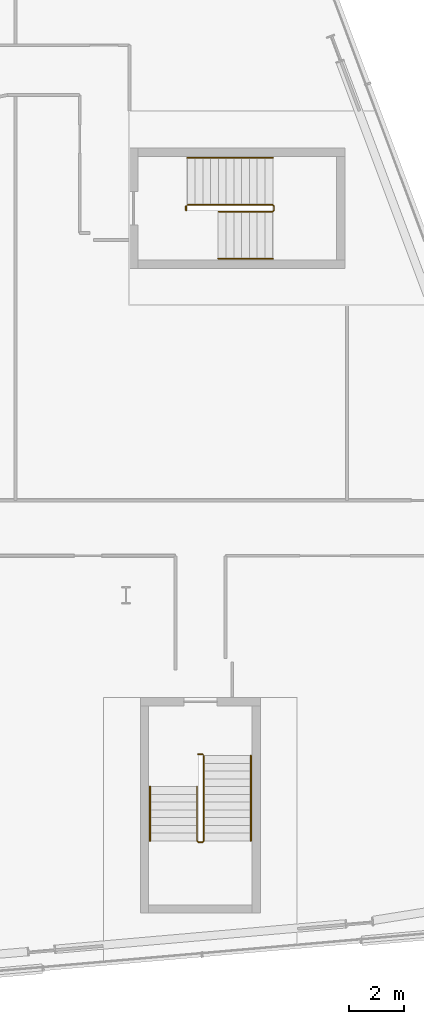
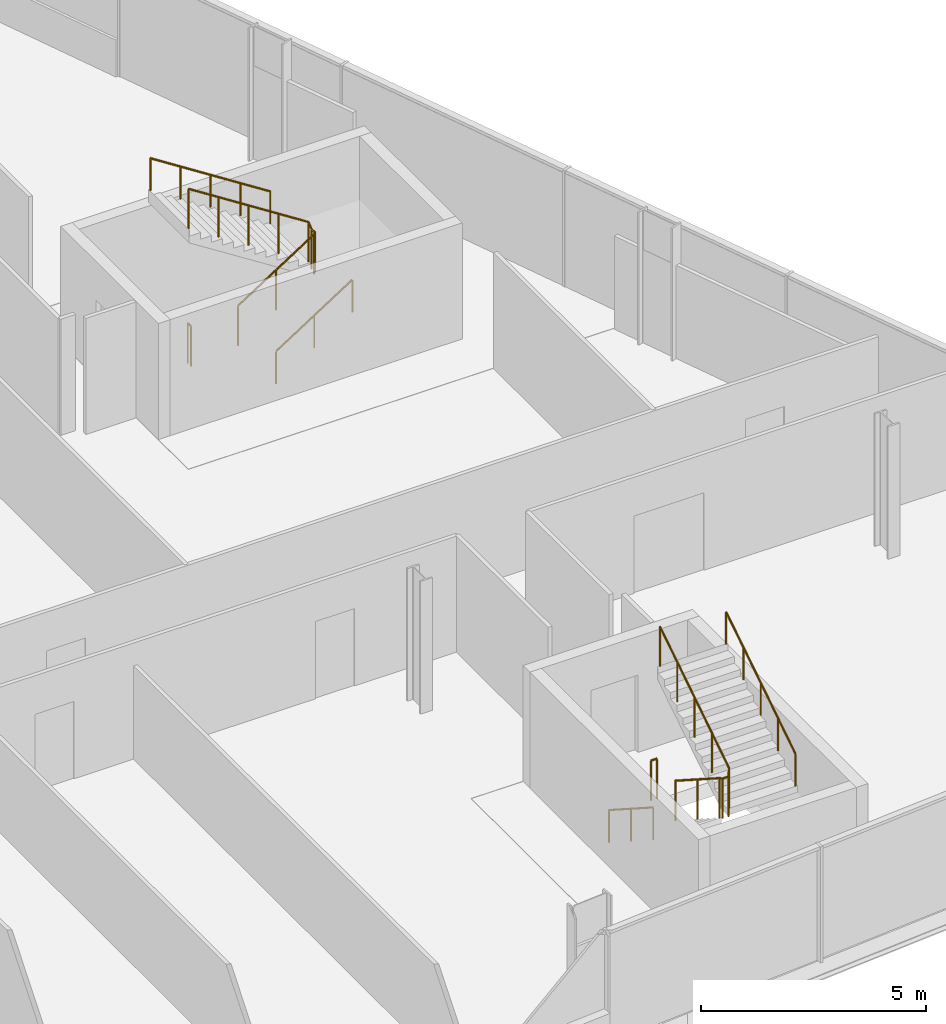
# One storey, part 24 of 24: 8 railings.
"""IFC4 building model written with IfcOpenShell, lengths in metres."""

from ifc_helpers import new_model, si_unit, direction, frame, origin, origin_2d, place, context, subcontext, project, spatial, circle, extrude, material, type_object, element, save


model = new_model("IFC4")

# Units and contexts
model_context = context("Model", 3, precision=1e-05, world=origin(), true_north=direction((0.0, 1.0)))
body_context = subcontext(model_context, "Body", "Model", "MODEL_VIEW")
ifc_project = project(units=[si_unit("LENGTHUNIT", "METRE"), si_unit("AREAUNIT", "SQUARE_METRE"), si_unit("VOLUMEUNIT", "CUBIC_METRE"), si_unit("PLANEANGLEUNIT", "RADIAN"), si_unit("MASSUNIT", "GRAM", prefix="KILO")], contexts=[model_context])

# Site, building, storey
site_placement = place(None, origin())
site = spatial("IfcSite", under=ifc_project, at=site_placement, CompositionType="ELEMENT")
building_placement = place(site_placement, origin())
building = spatial("IfcBuilding", under=site, at=building_placement, Name="Wharfspan Tower", CompositionType="ELEMENT")
storey_placement = place(building_placement, frame((0.0, 0.0, 88.300049)))
storey = spatial("IfcBuildingStorey", under=building, at=storey_placement, Name="L19", CompositionType="ELEMENT", Elevation=88.300049)

# Railings
ifc_material = material(Name="Steel S355J2", Category="steel")
railing_type_1 = type_object("IfcRailingType", Name="Stair guard 1100", PredefinedType="GUARDRAIL", material=ifc_material)
railing_1_placement = place(storey_placement, frame((74.567383, 4.572021, 0.179932)))
element("IfcRailing", 1, at=railing_1_placement, inside=storey, type_object=railing_type_1, Name="L19 ST5 stair guard 1", PredefinedType="GUARDRAIL", context=body_context, shape_type="SweptSolid", body=[
    extrude(circle(Radius=0.023926, at=origin_2d()), frame((0.0, 0.0, 1.076172), z_axis=(0.0, -0.841172, 0.540768), x_axis=(1.0, 0.0, 0.0)), (0.0, 0.0, 1.0), 2.330078),
    extrude(circle(Radius=0.023926, at=origin_2d()), frame((0.0, -1.959961, 2.335938), z_axis=(0.707107, -0.707107, 0.0), x_axis=(0.707107, 0.707107, 0.0)), (0.0, 0.0, 1.0), 0.070801),
    extrude(circle(Radius=0.023926, at=origin_2d()), frame((0.050049, -2.01001, 2.335938), z_axis=(1.0, 0.0, 0.0), x_axis=(0.0, 1.0, 0.0)), (0.0, 0.0, 1.0), 0.150146),
    extrude(circle(Radius=0.023926, at=origin_2d()), frame((0.200195, -2.01001, 2.335938), z_axis=(0.257669, 0.258932, 0.930892), x_axis=(-0.708833, 0.705372, 1e-06)), (0.0, 0.0, 1.0), 0.193359),
    extrude(circle(Radius=0.023926, at=origin_2d()), frame((0.25, -1.959961, 2.516113), z_axis=(0.0, 0.841168, 0.540774), x_axis=(-1.0, 0.0, 0.0)), (0.0, 0.0, 1.0), 3.661377),
    extrude(circle(Radius=0.020996, at=origin_2d()), origin(), (0.0, 0.0, 1.0), 1.052002),
    extrude(circle(Radius=0.020996, at=origin_2d()), frame((0.0, -0.97998, 0.629883)), (0.0, 0.0, 1.0), 1.052002),
    extrude(circle(Radius=0.020996, at=origin_2d()), frame((0.0, -1.959961, 1.26001)), (0.0, 0.0, 1.0), 1.052002),
    extrude(circle(Radius=0.020996, at=origin_2d()), frame((0.050049, -2.01001, 1.26001)), (0.0, 0.0, 1.0), 1.052002),
    extrude(circle(Radius=0.020996, at=origin_2d()), frame((0.200195, -2.01001, 1.26001)), (0.0, 0.0, 1.0), 1.052002),
    extrude(circle(Radius=0.020996, at=origin_2d()), frame((0.25, -1.959961, 1.439941)), (0.0, 0.0, 1.0), 1.052002),
    extrude(circle(Radius=0.020996, at=origin_2d()), frame((0.25, -1.189941, 1.935059)), (0.0, 0.0, 1.0), 1.052002),
    extrude(circle(Radius=0.020996, at=origin_2d()), frame((0.25, -0.419922, 2.429932)), (0.0, 0.0, 1.0), 1.052002),
    extrude(circle(Radius=0.020996, at=origin_2d()), frame((0.25, 0.349854, 2.924805)), (0.0, 0.0, 1.0), 1.052002),
    extrude(circle(Radius=0.020996, at=origin_2d()), frame((0.25, 1.119873, 3.419922)), (0.0, 0.0, 1.0), 1.052002),
])
railing_2_placement = place(storey_placement, frame((74.617432, 5.741943, 0.0)))
element("IfcRailing", 2, at=railing_2_placement, inside=storey, type_object=railing_type_1, Name="L19 ST5 stair guard 2", PredefinedType="GUARDRAIL", context=body_context, shape_type="SweptSolid", body=[
    extrude(circle(Radius=0.023926, at=origin_2d()), frame((0.0, 0.0, 1.076172), z_axis=(1.0, 0.0, 0.0), x_axis=(0.0, 1.0, 0.0)), (0.0, 0.0, 1.0), 0.150146),
    extrude(circle(Radius=0.020996, at=origin_2d()), origin(), (0.0, 0.0, 1.0), 1.052002),
    extrude(circle(Radius=0.020996, at=origin_2d()), frame((0.150146, 0.0, 0.0)), (0.0, 0.0, 1.0), 1.052002),
])
railing_3_placement = place(storey_placement, frame((75.344971, 25.375, 0.179932)))
element("IfcRailing", 3, at=railing_3_placement, inside=storey, type_object=railing_type_1, Name="L19 ST6 stair guard 1", PredefinedType="GUARDRAIL", context=body_context, shape_type="SweptSolid", body=[
    extrude(circle(Radius=0.023926, at=origin_2d()), frame((0.0, 0.0, 1.076172), z_axis=(0.841172, 0.0, 0.540768), x_axis=(0.0, 1.0, 0.0)), (0.0, 0.0, 1.0), 2.330078),
    extrude(circle(Radius=0.023926, at=origin_2d()), frame((1.959961, 0.0, 2.335938), z_axis=(0.707107, 0.707107, 0.0), x_axis=(-0.707107, 0.707107, 0.0)), (0.0, 0.0, 1.0), 0.070801),
    extrude(circle(Radius=0.023926, at=origin_2d()), frame((2.01001, 0.050049, 2.335938), z_axis=(0.0, 1.0, 0.0), x_axis=(-1.0, 0.0, 0.0)), (0.0, 0.0, 1.0), 0.149902),
    extrude(circle(Radius=0.023926, at=origin_2d()), frame((2.01001, 0.199951, 2.335938), z_axis=(-0.258848, 0.258848, 0.930589), x_axis=(-0.707107, -0.707107, 0.0)), (0.0, 0.0, 1.0), 0.193359),
    extrude(circle(Radius=0.023926, at=origin_2d()), frame((1.959961, 0.25, 2.516113), z_axis=(-0.841168, 0.0, 0.540774), x_axis=(0.0, -1.0, 0.0)), (0.0, 0.0, 1.0), 3.661377),
    extrude(circle(Radius=0.020996, at=origin_2d()), origin(), (0.0, 0.0, 1.0), 1.052002),
    extrude(circle(Radius=0.020996, at=origin_2d()), frame((0.97998, 0.0, 0.629883)), (0.0, 0.0, 1.0), 1.052002),
    extrude(circle(Radius=0.020996, at=origin_2d()), frame((1.959961, 0.0, 1.26001)), (0.0, 0.0, 1.0), 1.052002),
    extrude(circle(Radius=0.020996, at=origin_2d()), frame((2.01001, 0.050049, 1.26001)), (0.0, 0.0, 1.0), 1.052002),
    extrude(circle(Radius=0.020996, at=origin_2d()), frame((2.01001, 0.199951, 1.26001)), (0.0, 0.0, 1.0), 1.052002),
    extrude(circle(Radius=0.020996, at=origin_2d()), frame((1.959961, 0.25, 1.439941)), (0.0, 0.0, 1.0), 1.052002),
    extrude(circle(Radius=0.020996, at=origin_2d()), frame((1.189941, 0.25, 1.935059)), (0.0, 0.0, 1.0), 1.052002),
    extrude(circle(Radius=0.020996, at=origin_2d()), frame((0.419922, 0.25, 2.429932)), (0.0, 0.0, 1.0), 1.052002),
    extrude(circle(Radius=0.020996, at=origin_2d()), frame((-0.349854, 0.25, 2.924805)), (0.0, 0.0, 1.0), 1.052002),
    extrude(circle(Radius=0.020996, at=origin_2d()), frame((-1.119873, 0.25, 3.419922)), (0.0, 0.0, 1.0), 1.052002),
])
railing_4_placement = place(storey_placement, frame((74.175049, 25.425049, 0.0)))
element("IfcRailing", 4, at=railing_4_placement, inside=storey, type_object=railing_type_1, Name="L19 ST6 stair guard 2", PredefinedType="GUARDRAIL", context=body_context, shape_type="SweptSolid", body=[
    extrude(circle(Radius=0.023926, at=origin_2d()), frame((0.0, 0.0, 1.076172), z_axis=(0.0, 1.0, 0.0), x_axis=(-1.0, 0.0, 0.0)), (0.0, 0.0, 1.0), 0.149902),
    extrude(circle(Radius=0.020996, at=origin_2d()), origin(), (0.0, 0.0, 1.0), 1.052002),
    extrude(circle(Radius=0.020996, at=origin_2d()), frame((0.0, 0.149902, 0.0)), (0.0, 0.0, 1.0), 1.052002),
])
railing_type_2 = type_object("IfcRailingType", Name="Stair handrail 900", PredefinedType="HANDRAIL", material=ifc_material)
railing_5_placement = place(storey_placement, frame((72.867432, 4.572021, 0.179932)))
element("IfcRailing", 5, at=railing_5_placement, inside=storey, type_object=railing_type_2, Name="L19 ST5 stair handrail 1", PredefinedType="HANDRAIL", context=body_context, shape_type="SweptSolid", body=[
    extrude(circle(Radius=0.023926, at=origin_2d()), frame((0.0, 0.0, 0.875977), z_axis=(0.0, -0.841172, 0.540768), x_axis=(1.0, 0.0, 0.0)), (0.0, 0.0, 1.0), 2.330078),
    extrude(circle(Radius=0.020996, at=origin_2d()), origin(), (0.0, 0.0, 1.0), 0.851807),
    extrude(circle(Radius=0.020996, at=origin_2d()), frame((0.0, -0.97998, 0.629883)), (0.0, 0.0, 1.0), 0.851807),
    extrude(circle(Radius=0.020996, at=origin_2d()), frame((0.0, -1.959961, 1.26001)), (0.0, 0.0, 1.0), 0.851807),
])
railing_6_placement = place(storey_placement, frame((76.517578, 2.612061, 1.619873)))
element("IfcRailing", 6, at=railing_6_placement, inside=storey, type_object=railing_type_2, Name="L19 ST5 stair handrail 2", PredefinedType="HANDRAIL", context=body_context, shape_type="SweptSolid", body=[
    extrude(circle(Radius=0.023926, at=origin_2d()), frame((0.0, 0.0, 0.875977), z_axis=(0.0, 0.841168, 0.540774), x_axis=(-1.0, 0.0, 0.0)), (0.0, 0.0, 1.0), 3.661377),
    extrude(circle(Radius=0.020996, at=origin_2d()), origin(), (0.0, 0.0, 1.0), 0.851807),
    extrude(circle(Radius=0.020996, at=origin_2d()), frame((0.0, 0.77002, 0.495117)), (0.0, 0.0, 1.0), 0.851807),
    extrude(circle(Radius=0.020996, at=origin_2d()), frame((0.0, 1.540039, 0.98999)), (0.0, 0.0, 1.0), 0.851807),
    extrude(circle(Radius=0.020996, at=origin_2d()), frame((0.0, 2.309814, 1.484863)), (0.0, 0.0, 1.0), 0.851807),
    extrude(circle(Radius=0.020996, at=origin_2d()), frame((0.0, 3.079834, 1.97998)), (0.0, 0.0, 1.0), 0.851807),
])
railing_7_placement = place(storey_placement, frame((75.344971, 23.675049, 0.179932)))
element("IfcRailing", 7, at=railing_7_placement, inside=storey, type_object=railing_type_2, Name="L19 ST6 stair handrail 1", PredefinedType="HANDRAIL", context=body_context, shape_type="SweptSolid", body=[
    extrude(circle(Radius=0.023926, at=origin_2d()), frame((0.0, 0.0, 0.875977), z_axis=(0.841172, 0.0, 0.540768), x_axis=(0.0, 1.0, 0.0)), (0.0, 0.0, 1.0), 2.330078),
    extrude(circle(Radius=0.020996, at=origin_2d()), origin(), (0.0, 0.0, 1.0), 0.851807),
    extrude(circle(Radius=0.020996, at=origin_2d()), frame((0.97998, 0.0, 0.629883)), (0.0, 0.0, 1.0), 0.851807),
    extrude(circle(Radius=0.020996, at=origin_2d()), frame((1.959961, 0.0, 1.26001)), (0.0, 0.0, 1.0), 0.851807),
])
railing_8_placement = place(storey_placement, frame((77.304932, 27.324951, 1.619873)))
element("IfcRailing", 8, at=railing_8_placement, inside=storey, type_object=railing_type_2, Name="L19 ST6 stair handrail 2", PredefinedType="HANDRAIL", context=body_context, shape_type="SweptSolid", body=[
    extrude(circle(Radius=0.023926, at=origin_2d()), frame((0.0, 0.0, 0.875977), z_axis=(-0.841168, 0.0, 0.540774), x_axis=(0.0, -1.0, 0.0)), (0.0, 0.0, 1.0), 3.661377),
    extrude(circle(Radius=0.020996, at=origin_2d()), origin(), (0.0, 0.0, 1.0), 0.851807),
    extrude(circle(Radius=0.020996, at=origin_2d()), frame((-0.77002, 0.0, 0.495117)), (0.0, 0.0, 1.0), 0.851807),
    extrude(circle(Radius=0.020996, at=origin_2d()), frame((-1.540039, 0.0, 0.98999)), (0.0, 0.0, 1.0), 0.851807),
    extrude(circle(Radius=0.020996, at=origin_2d()), frame((-2.309814, 0.0, 1.484863)), (0.0, 0.0, 1.0), 0.851807),
    extrude(circle(Radius=0.020996, at=origin_2d()), frame((-3.079834, 0.0, 1.97998)), (0.0, 0.0, 1.0), 0.851807),
])

save(model, "model.ifc")
